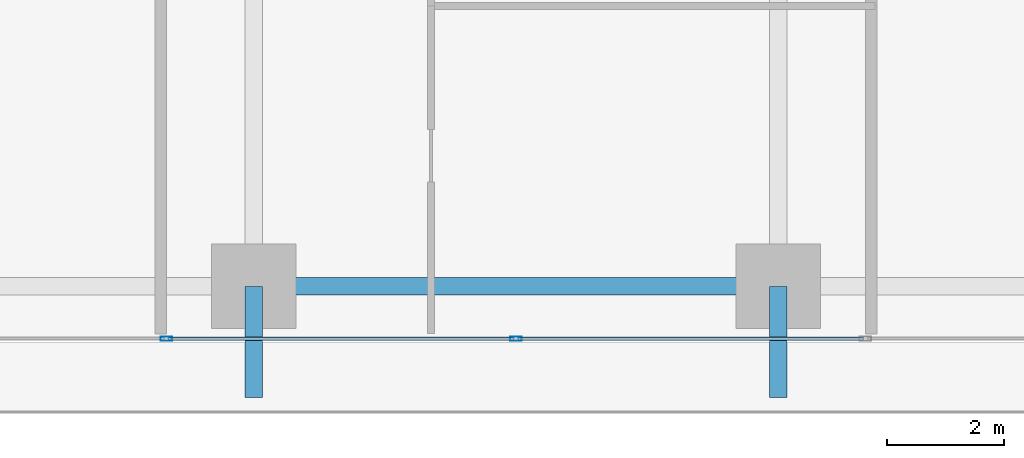
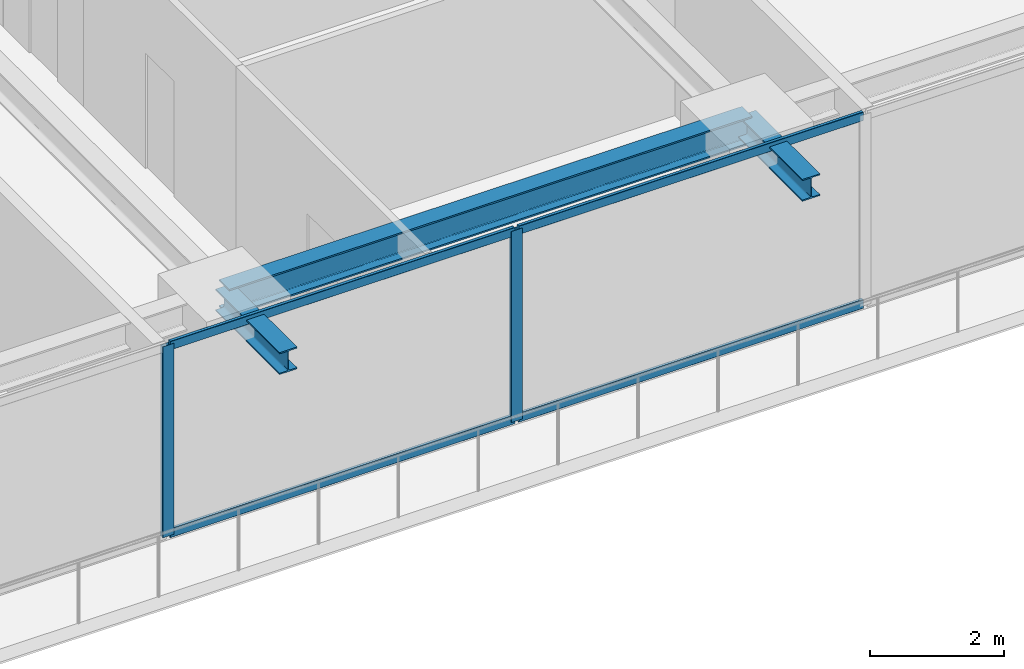
# One storey, part 5 of 37: 6 members, 3 beams, 1 element without a shape of its own.
"""IFC4 building model written with IfcOpenShell, lengths in metres."""

from ifc_helpers import new_model, si_unit, direction, frame, origin, origin_2d, place, context, subcontext, project, spatial, hollow_rectangle, i_section, extrude, source, transform, mapped, material, layer, layer_set, material_profile, profile_set, type_object, element, aggregate, save


model = new_model("IFC4")

# Units and contexts
model_context = context("Model", 3, precision=1e-05, world=origin(), true_north=direction((0.0, 1.0)))
body_context = subcontext(model_context, "Body", "Model", "MODEL_VIEW")
ifc_project = project(units=[si_unit("LENGTHUNIT", "METRE"), si_unit("AREAUNIT", "SQUARE_METRE"), si_unit("VOLUMEUNIT", "CUBIC_METRE"), si_unit("PLANEANGLEUNIT", "RADIAN"), si_unit("MASSUNIT", "GRAM", prefix="KILO")], contexts=[model_context])

# Site, building, storey
site_placement = place(None, origin())
site = spatial("IfcSite", under=ifc_project, at=site_placement, CompositionType="ELEMENT")
building_placement = place(site_placement, origin())
building = spatial("IfcBuilding", under=site, at=building_placement, Name="Serunith Strait Residences", CompositionType="ELEMENT")
storey_placement = place(building_placement, frame((0.0, 0.0, 34.199951171875)))
storey = spatial("IfcBuildingStorey", under=building, at=storey_placement, Name="L07", CompositionType="ELEMENT", Elevation=34.199951171875)

# Beams
ifc_material_1 = material(Name="Steel S355J2", Category="steel")
ifc_material_profile_1 = material_profile(ifc_material_1, i_section(OverallWidth=0.300048828125, OverallDepth=0.5, WebThickness=0.014404296875, FlangeThickness=0.028076171875, FilletRadius=0.027099609375, at=origin_2d()), Name="HEB 500")
ifc_profile_set_1 = profile_set([ifc_material_profile_1], Name="Steel S355J2")
beam_type_1 = type_object("IfcBeamType", Name="BM-HEB500", PredefinedType="BEAM", material=ifc_profile_set_1)
shared_shape_1 = source(origin(), body_context, "Body", "SweptSolid", [
    extrude(i_section(OverallWidth=0.300048828125, OverallDepth=0.5, WebThickness=0.014404296875, FlangeThickness=0.028076171875, FilletRadius=0.027099609375, at=origin_2d()), origin(), (0.0, 0.0, 1.0), 9.0),
])
beam_placement = place(storey_placement, frame((27.89990234375, 1.10009765625, 3.237060546875), z_axis=(1.0, 0.0, 0.0), x_axis=(0.0, 1.0, 0.0)))
element("IfcBeam", 1, at=beam_placement, inside=storey, type_object=beam_type_1, Name="L07 Perimeter Ring Beam 02", PredefinedType="BEAM", context=body_context, shape_type="MappedRepresentation", body=[
    mapped(shared_shape_1, transform((0.0, 0.0, 0.0), scale=1.0)),
])
ifc_material_profile_2 = material_profile(ifc_material_1, i_section(OverallWidth=0.300048828125, OverallDepth=0.39990234375, WebThickness=0.013427734375, FlangeThickness=0.02392578125, FilletRadius=0.027099609375, at=origin_2d()), Name="HEB 400")
ifc_profile_set_2 = profile_set([ifc_material_profile_2], Name="Steel S355J2")
beam_type_2 = type_object("IfcBeamType", Name="BM-HEB400", PredefinedType="BEAM", material=ifc_profile_set_2)
shared_shape_2 = source(origin(), body_context, "Body", "SweptSolid", [
    extrude(i_section(OverallWidth=0.300048828125, OverallDepth=0.39990234375, WebThickness=0.013427734375, FlangeThickness=0.02392578125, FilletRadius=0.027099609375, at=origin_2d()), origin(), (0.0, 0.0, 1.0), 1.91015625),
])
for number, where, z_axis, x_axis, name in (
    (2, (27.89990234375, 1.10009765625, 3.257080078125), (0.0, -1.0, 0.0), (1.0, 0.0, 0.0), "L08 Cantilevered Balcony Rib TC-S2"),
    (3, (36.89990234375, 1.10009765625, 3.257080078125), (0.0, -1.0, 0.0), (1.0, 0.0, 0.0), "L08 Cantilevered Balcony Rib TC-S3"),
):
    element("IfcBeam", number, at=place(storey_placement, frame(where, z_axis=z_axis, x_axis=x_axis)), inside=storey, type_object=beam_type_2, Name=name, PredefinedType="BEAM", context=body_context, shape_type="MappedRepresentation", body=[
        mapped(shared_shape_2, transform((0.0, 0.0, 0.0), scale=1.0)),
    ])

# Curtain wall, members
ifc_material_2 = material(Name="Pale-Champagne Anodised Aluminium", Category="aluminium")
ifc_layer = layer(ifc_material_2, 0.199951171875, Name="Pale-Champagne Anodised Aluminium")
ifc_layer_set = layer_set([ifc_layer], Name="Pale-Champagne Anodised Aluminium")
curtain_wall_type = type_object("IfcCurtainWallType", Name="CW-SYS1", PredefinedType="NOTDEFINED", material=ifc_layer_set)
curtain_wall_placement = place(storey_placement, origin())
curtain_wall = element("IfcCurtainWall", 4, at=curtain_wall_placement, inside=storey, type_object=curtain_wall_type, Name="L07 S Unitised Fritted Curtain Wall", PredefinedType="NOTDEFINED")
ifc_material_profile_3 = material_profile(ifc_material_2, hollow_rectangle(XDim=0.070068359375, YDim=0.199951171875, WallThickness=0.00390625, InnerFilletRadius=0.006103515625, OuterFilletRadius=0.010009765625, at=origin_2d()), Name="ALU 200x70x4")
ifc_profile_set_3 = profile_set([ifc_material_profile_3], Name="Pale-Champagne Anodised Aluminium")
member_type_1 = type_object("IfcMemberType", Name="CW-SYS1-MULL", PredefinedType="MULLION", material=ifc_profile_set_3)
shared_shape_3 = source(origin(), body_context, "Body", "SweptSolid", [
    extrude(hollow_rectangle(XDim=0.070068359375, YDim=0.199951171875, WallThickness=0.00390625, InnerFilletRadius=0.006103515625, OuterFilletRadius=0.010009765625, at=origin_2d()), origin(), (0.0, 0.0, 1.0), 3.47509765625),
])
member_1_placement = place(storey_placement, frame((26.39990234375, 0.199951171875, 0.0), z_axis=(0.0, 0.0, 1.0), x_axis=(0.0, 1.0, 0.0)))
member_1 = element("IfcMember", 5, at=member_1_placement, type_object=member_type_1, Name="CW-1 mullion 3", PredefinedType="MULLION", context=body_context, shape_type="MappedRepresentation", body=[
    mapped(shared_shape_3, transform((0.0, 0.0, 0.0), scale=1.0)),
])
member_2_placement = place(storey_placement, frame((32.39990234375, 0.199951171875, 0.0), z_axis=(0.0, 0.0, 1.0), x_axis=(0.0, 1.0, 0.0)))
member_2 = element("IfcMember", 6, at=member_2_placement, type_object=member_type_1, Name="CW-1 mullion 4", PredefinedType="MULLION", context=body_context, shape_type="MappedRepresentation", body=[
    mapped(shared_shape_3, transform((0.0, 0.0, 0.0), scale=1.0)),
])
ifc_material_profile_4 = material_profile(ifc_material_2, hollow_rectangle(XDim=0.06005859375, YDim=0.159912109375, WallThickness=0.00341796875, InnerFilletRadius=0.00537109375, OuterFilletRadius=0.0087890625, at=origin_2d()), Name="ALU 160x60x3.5")
ifc_profile_set_4 = profile_set([ifc_material_profile_4], Name="Pale-Champagne Anodised Aluminium")
member_type_2 = type_object("IfcMemberType", Name="CW-SYS1-TRAN", PredefinedType="USERDEFINED", material=ifc_profile_set_4)
shared_shape_4 = source(origin(), body_context, "Body", "SweptSolid", [
    extrude(hollow_rectangle(XDim=0.06005859375, YDim=0.159912109375, WallThickness=0.00341796875, InnerFilletRadius=0.00537109375, OuterFilletRadius=0.0087890625, at=origin_2d()), origin(), (0.0, 0.0, 1.0), 5.929931640625),
])
member_3_placement = place(storey_placement, frame((26.43505859375, 0.199951171875, 0.030029296875), z_axis=(1.0, 0.0, 0.0), x_axis=(0.0, 1.0, 0.0)))
member_3 = element("IfcMember", 7, at=member_3_placement, type_object=member_type_2, Name="CW-1 transom 3.1", ObjectType="TRANSOM", PredefinedType="USERDEFINED", context=body_context, shape_type="MappedRepresentation", body=[
    mapped(shared_shape_4, transform((0.0, 0.0, 0.0), scale=1.0)),
])
member_4_placement = place(storey_placement, frame((26.43505859375, 0.199951171875, 3.445068359375), z_axis=(1.0, 0.0, 0.0), x_axis=(0.0, 1.0, 0.0)))
member_4 = element("IfcMember", 8, at=member_4_placement, type_object=member_type_2, Name="CW-1 transom 3.2", ObjectType="TRANSOM", PredefinedType="USERDEFINED", context=body_context, shape_type="MappedRepresentation", body=[
    mapped(shared_shape_4, transform((0.0, 0.0, 0.0), scale=1.0)),
])
member_5_placement = place(storey_placement, frame((32.43505859375, 0.199951171875, 0.030029296875), z_axis=(1.0, 0.0, 0.0), x_axis=(0.0, 1.0, 0.0)))
member_5 = element("IfcMember", 9, at=member_5_placement, type_object=member_type_2, Name="CW-1 transom 4.1", ObjectType="TRANSOM", PredefinedType="USERDEFINED", context=body_context, shape_type="MappedRepresentation", body=[
    mapped(shared_shape_4, transform((0.0, 0.0, 0.0), scale=1.0)),
])
member_6_placement = place(storey_placement, frame((32.43505859375, 0.199951171875, 3.445068359375), z_axis=(1.0, 0.0, 0.0), x_axis=(0.0, 1.0, 0.0)))
member_6 = element("IfcMember", 10, at=member_6_placement, type_object=member_type_2, Name="CW-1 transom 4.2", ObjectType="TRANSOM", PredefinedType="USERDEFINED", context=body_context, shape_type="MappedRepresentation", body=[
    mapped(shared_shape_4, transform((0.0, 0.0, 0.0), scale=1.0)),
])
aggregate(curtain_wall, [member_1, member_2, member_3, member_4, member_5, member_6])

save(model, "model.ifc")
